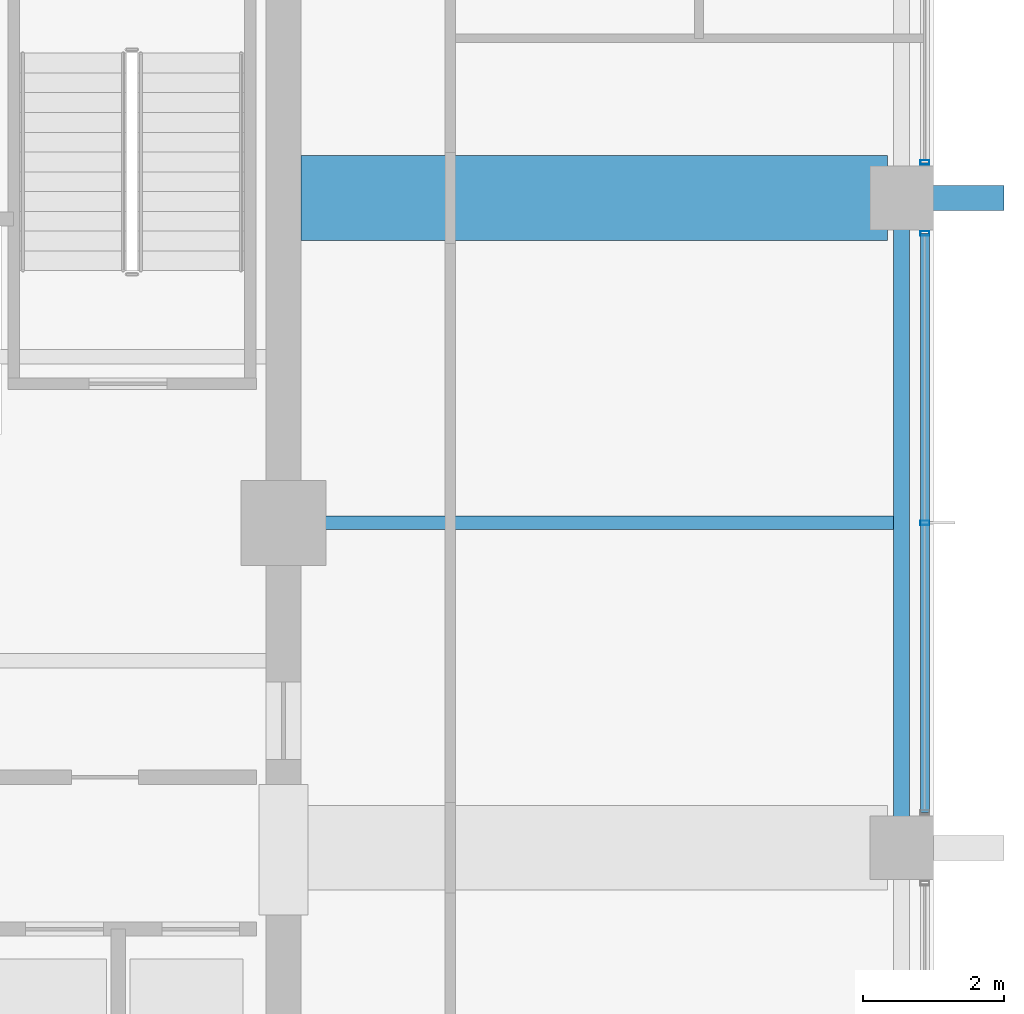
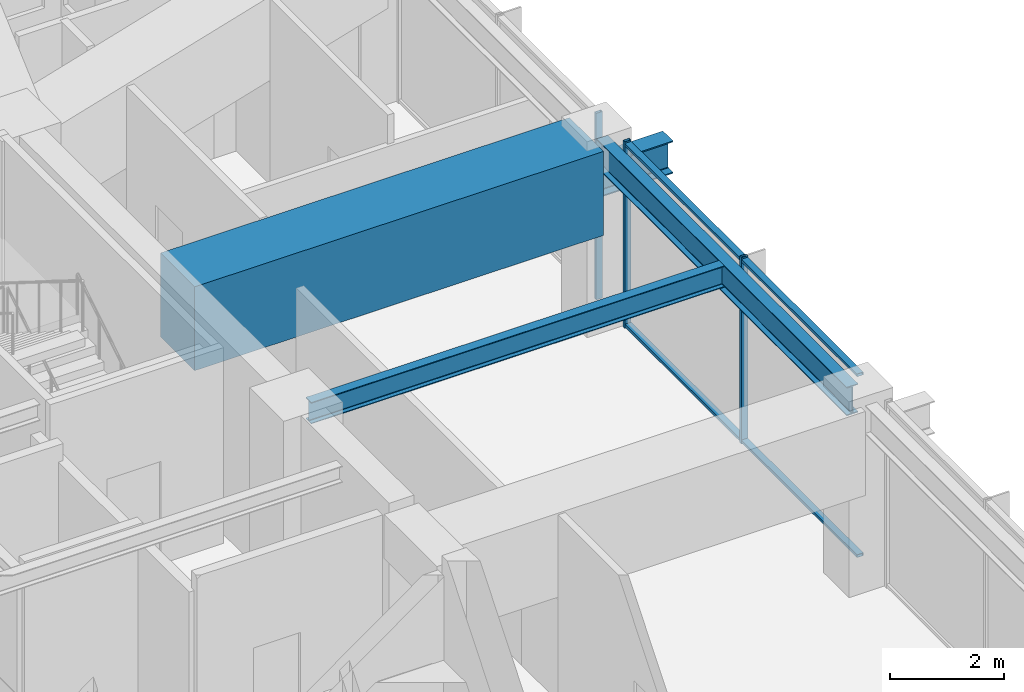
# One storey, part 13 of 33: 5 members, 4 beams, 2 elements without a shape of their own.
"""IFC4 building model written with IfcOpenShell, lengths in metres."""

from ifc_helpers import new_model, si_unit, direction, frame, origin, origin_2d, place, context, subcontext, project, spatial, rectangle, hollow_rectangle, i_section, extrude, material, material_profile, profile_set, type_object, element, aggregate, save


model = new_model("IFC4")

# Units and contexts
model_context = context("Model", 3, precision=1e-05, world=origin(), true_north=direction((0.0, 1.0)))
body_context = subcontext(model_context, "Body", "Model", "MODEL_VIEW")
ifc_project = project(units=[si_unit("LENGTHUNIT", "METRE"), si_unit("AREAUNIT", "SQUARE_METRE"), si_unit("VOLUMEUNIT", "CUBIC_METRE"), si_unit("PLANEANGLEUNIT", "RADIAN"), si_unit("MASSUNIT", "GRAM", prefix="KILO")], contexts=[model_context])

# Site, building, storey
site_placement = place(None, origin())
site = spatial("IfcSite", under=ifc_project, at=site_placement, CompositionType="ELEMENT")
building_placement = place(site_placement, origin())
building = spatial("IfcBuilding", under=site, at=building_placement, Name="Kolvaren Belvedere", CompositionType="ELEMENT")
storey_placement = place(building_placement, frame((0.0, 0.0, 152.699951171875)))
storey = spatial("IfcBuildingStorey", under=building, at=storey_placement, Name="L44", CompositionType="ELEMENT", Elevation=152.699951171875)

# Beams
ifc_material_1 = material(Name="Structural steel ASTM A992 Grade 50", Category="steel")
ifc_material_profile_1 = material_profile(ifc_material_1, i_section(OverallWidth=0.35498046875, OverallDepth=0.696044921875, WebThickness=0.015380859375, FlangeThickness=0.02490234375, FilletRadius=0.02197265625, at=origin_2d()), Name="W27X146")
ifc_profile_set_1 = profile_set([ifc_material_profile_1], Name="Structural steel ASTM A992 Grade 50")
beam_type_1 = type_object("IfcBeamType", Name="BM-CANT-BAL", PredefinedType="BEAM", material=ifc_profile_set_1)
beam_1_placement = place(storey_placement, frame((18.64990234375, 4.60009765625, 3.0419921875), z_axis=(1.0, 0.0, 0.0), x_axis=(0.0, 1.0, 0.0)))
element("IfcBeam", 1, at=beam_1_placement, inside=storey, type_object=beam_type_1, Name="L44 East Picture-Frame Column Corbel P", PredefinedType="BEAM", context=body_context, shape_type="SweptSolid", body=[
    extrude(i_section(OverallWidth=0.35498046875, OverallDepth=0.696044921875, WebThickness=0.015380859375, FlangeThickness=0.02490234375, FilletRadius=0.02197265625, at=origin_2d()), origin(), (0.0, 0.0, 1.0), 1.4501953125),
])
ifc_material_2 = material(Name="Structural steel ASTM A992 Grade 50", Category="steel")
ifc_material_profile_2 = material_profile(ifc_material_2, i_section(OverallWidth=0.19091796875, OverallDepth=0.4599609375, WebThickness=0.010009765625, FlangeThickness=0.01611328125, FilletRadius=0.014892578125, at=origin_2d()), Name="W18X55")
ifc_profile_set_2 = profile_set([ifc_material_profile_2], Name="Structural steel ASTM A992 Grade 50")
beam_type_2 = type_object("IfcBeamType", Name="BM-JOIST-W18X55", PredefinedType="BEAM", material=ifc_profile_set_2)
beam_2_placement = place(storey_placement, frame((10.14990234375, 0.0, 3.77001953125), z_axis=(1.0, 0.0, 0.0), x_axis=(0.0, 1.0, 0.0)))
element("IfcBeam", 2, at=beam_2_placement, inside=storey, type_object=beam_type_2, Name="L44 East Centre Floor Beam", PredefinedType="BEAM", context=body_context, shape_type="SweptSolid", body=[
    extrude(i_section(OverallWidth=0.19091796875, OverallDepth=0.4599609375, WebThickness=0.010009765625, FlangeThickness=0.01611328125, FilletRadius=0.014892578125, at=origin_2d()), origin(), (0.0, 0.0, 1.0), 8.385498046875),
])
ifc_material_3 = material(Name="Structural steel ASTM A992 Grade 50", Category="steel")
ifc_material_profile_3 = material_profile(ifc_material_3, i_section(OverallWidth=0.22900390625, OverallDepth=0.612060546875, WebThickness=0.011962890625, FlangeThickness=0.01953125, FilletRadius=0.01806640625, at=origin_2d()), Name="W24X84")
ifc_profile_set_3 = profile_set([ifc_material_profile_3], Name="Structural steel ASTM A992 Grade 50")
beam_type_3 = type_object("IfcBeamType", Name="BM-SPAN-W24X84", PredefinedType="SPANDREL", material=ifc_profile_set_3)
beam_3_placement = place(storey_placement, frame((18.64990234375, -4.3974609375, 3.694091796875), z_axis=(0.0, 1.0, 0.0), x_axis=(-1.0, 0.0, 0.0)))
element("IfcBeam", 3, at=beam_3_placement, inside=storey, type_object=beam_type_3, Name="L44 Perimeter Spandrel E2-E3", PredefinedType="SPANDREL", context=body_context, shape_type="SweptSolid", body=[
    extrude(i_section(OverallWidth=0.22900390625, OverallDepth=0.612060546875, WebThickness=0.011962890625, FlangeThickness=0.01953125, FilletRadius=0.01806640625, at=origin_2d()), origin(), (0.0, 0.0, 1.0), 8.794921875),
])
ifc_material_4 = material(Name="Concrete C50/60", Category="concrete")
ifc_material_profile_4 = material_profile(ifc_material_4, rectangle(XDim=1.199951171875, YDim=1.800048828125, at=origin_2d()), Name="RC 1200X1800")
ifc_profile_set_4 = profile_set([ifc_material_profile_4], Name="Concrete C50/60")
beam_type_4 = type_object("IfcBeamType", Name="BM-TG-1800", PredefinedType="BEAM", material=ifc_profile_set_4)
beam_4_placement = place(storey_placement, frame((10.14990234375, 4.60009765625, 3.10009765625), z_axis=(1.0, 0.0, 0.0), x_axis=(0.0, 1.0, 0.0)))
element("IfcBeam", 4, at=beam_4_placement, inside=storey, type_object=beam_type_4, Name="L44 East Radial Girder P", PredefinedType="BEAM", context=body_context, shape_type="SweptSolid", body=[
    extrude(rectangle(XDim=1.199951171875, YDim=1.800048828125, at=origin_2d()), origin(), (0.0, 0.0, 1.0), 8.297607421875),
])

# Curtain wall, member
ifc_material_5 = material(Name="Anodised pale-metal aluminium AA 6063-T6", Category="aluminium")
curtain_wall_type = type_object("IfcCurtainWallType", Name="CW-Z3-WAIST", PredefinedType="NOTDEFINED", material=ifc_material_5)
curtain_wall_1_placement = place(storey_placement, origin())
curtain_wall_1 = element("IfcCurtainWall", 5, at=curtain_wall_1_placement, inside=storey, type_object=curtain_wall_type, Name="L44 Unitised Curtain Wall FCW-L44-E-B1", PredefinedType="NOTDEFINED")
ifc_material_6 = material(Name="Anodised pale-metal aluminium AA 6063-T6", Category="aluminium")
ifc_material_profile_5 = material_profile(ifc_material_6, hollow_rectangle(XDim=0.06494140625, YDim=0.1298828125, WallThickness=0.00390625, at=origin_2d()), Name="ALU-MUL-130X65")
ifc_profile_set_5 = profile_set([ifc_material_profile_5], Name="Anodised pale-metal aluminium AA 6063-T6")
member_type_1 = type_object("IfcMemberType", Name="CW-MUL-130", PredefinedType="MULLION", material=ifc_profile_set_5)
member_1_placement = place(storey_placement, frame((18.97998046875, 5.1025390625, 0.0), z_axis=(0.0, 0.0, 1.0), x_axis=(0.0, 1.0, 0.0)))
member_1 = element("IfcMember", 6, at=member_1_placement, type_object=member_type_1, Name="FCW-L44-E-B1 Unitised Mullion 3", PredefinedType="MULLION", context=body_context, shape_type="SweptSolid", body=[
    extrude(hollow_rectangle(XDim=0.06494140625, YDim=0.1298828125, WallThickness=0.00390625, at=origin_2d()), origin(), (0.0, 0.0, 1.0), 4.0),
])
aggregate(curtain_wall_1, [member_1])

# Curtain wall, members
curtain_wall_2_placement = place(storey_placement, origin())
curtain_wall_2 = element("IfcCurtainWall", 7, at=curtain_wall_2_placement, inside=storey, type_object=curtain_wall_type, Name="L44 Unitised Curtain Wall FCW-L44-E-B2", PredefinedType="NOTDEFINED")
member_2_placement = place(storey_placement, frame((18.97998046875, 4.097412109375, 0.0), z_axis=(0.0, 0.0, 1.0), x_axis=(0.0, 1.0, 0.0)))
member_2 = element("IfcMember", 8, at=member_2_placement, type_object=member_type_1, Name="FCW-L44-E-B2 Unitised Mullion 1", PredefinedType="MULLION", context=body_context, shape_type="SweptSolid", body=[
    extrude(hollow_rectangle(XDim=0.06494140625, YDim=0.1298828125, WallThickness=0.00390625, at=origin_2d()), origin(), (0.0, 0.0, 1.0), 4.0),
])
member_3_placement = place(storey_placement, frame((18.97998046875, 0.0, 0.0), z_axis=(0.0, 0.0, 1.0), x_axis=(0.0, 1.0, 0.0)))
member_3 = element("IfcMember", 9, at=member_3_placement, type_object=member_type_1, Name="FCW-L44-E-B2 Unitised Mullion 2", PredefinedType="MULLION", context=body_context, shape_type="SweptSolid", body=[
    extrude(hollow_rectangle(XDim=0.06494140625, YDim=0.1298828125, WallThickness=0.00390625, at=origin_2d()), origin(), (0.0, 0.0, 1.0), 4.0),
])
ifc_material_7 = material(Name="Anodised pale-metal aluminium AA 6063-T6", Category="aluminium")
ifc_material_profile_6 = material_profile(ifc_material_7, hollow_rectangle(XDim=0.06005859375, YDim=0.1298828125, WallThickness=0.00390625, at=origin_2d()), Name="ALU-TRN-130X60")
ifc_profile_set_6 = profile_set([ifc_material_profile_6], Name="Anodised pale-metal aluminium AA 6063-T6")
member_type_2 = type_object("IfcMemberType", Name="CW-TRN-130", PredefinedType="USERDEFINED", material=ifc_profile_set_6)
member_4_placement = place(storey_placement, frame((18.97998046875, 4.097412109375, 0.06005859375), z_axis=(0.0, -1.0, 0.0), x_axis=(0.0, 0.0, 1.0)))
member_4 = element("IfcMember", 10, at=member_4_placement, type_object=member_type_2, Name="FCW-L44-E-B2 Sill Transom", ObjectType="TRANSOM", PredefinedType="USERDEFINED", context=body_context, shape_type="SweptSolid", body=[
    extrude(hollow_rectangle(XDim=0.06005859375, YDim=0.1298828125, WallThickness=0.00390625, at=origin_2d()), origin(), (0.0, 0.0, 1.0), 8.19482421875),
])
member_5_placement = place(storey_placement, frame((18.97998046875, 4.097412109375, 3.93994140625), z_axis=(0.0, -1.0, 0.0), x_axis=(0.0, 0.0, 1.0)))
member_5 = element("IfcMember", 11, at=member_5_placement, type_object=member_type_2, Name="FCW-L44-E-B2 Head Transom", ObjectType="TRANSOM", PredefinedType="USERDEFINED", context=body_context, shape_type="SweptSolid", body=[
    extrude(hollow_rectangle(XDim=0.06005859375, YDim=0.1298828125, WallThickness=0.00390625, at=origin_2d()), origin(), (0.0, 0.0, 1.0), 8.19482421875),
])
aggregate(curtain_wall_2, [member_2, member_3, member_4, member_5])

save(model, "model.ifc")
